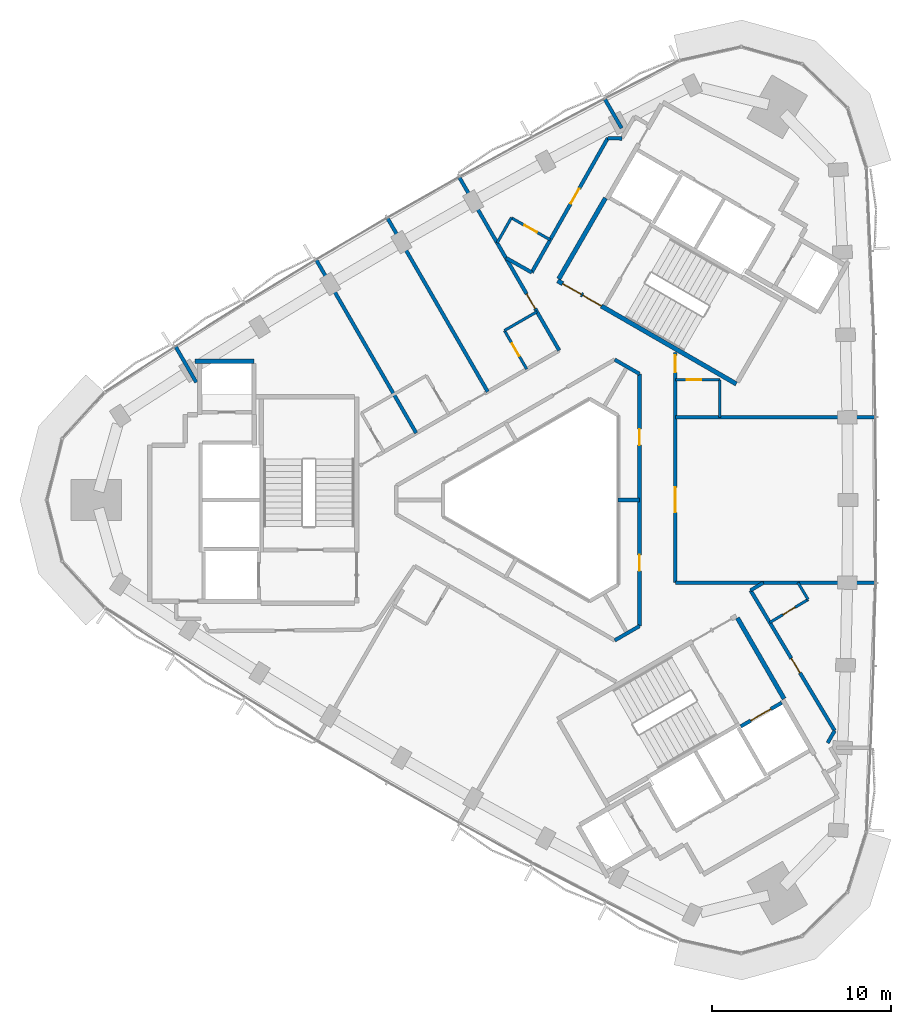
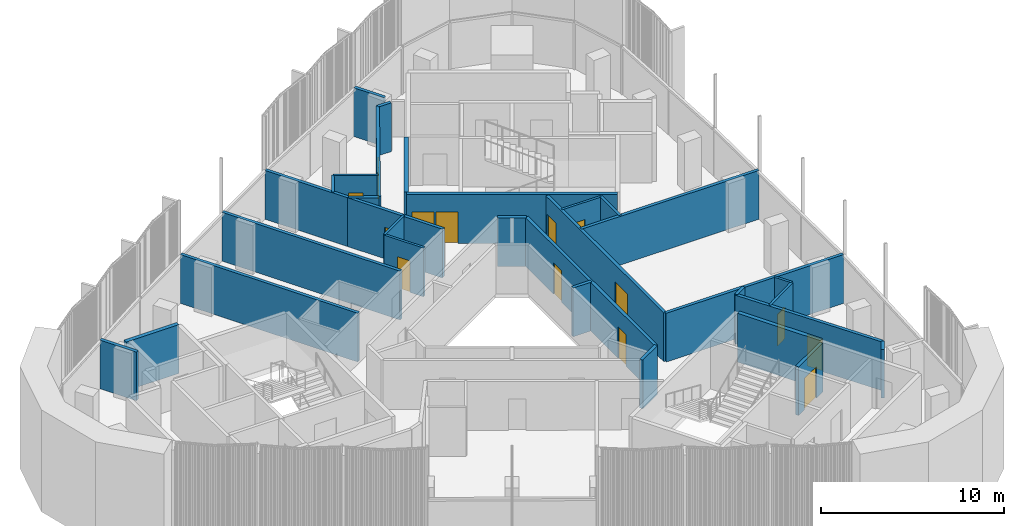
# One storey, part 10 of 14: 33 walls, 14 doors, 14 openings.
"""IFC4 building model written with IfcOpenShell, lengths in metres."""

from ifc_helpers import new_model, si_unit, direction, frame, frame_2d, origin, place, context, subcontext, project, spatial, rectangle, extrude, material, layer, layer_set, type_object, element, fill, save


model = new_model("IFC4")

# Units and contexts
model_context = context("Model", 3, precision=1e-05, world=origin(), true_north=direction((0.0, 1.0)))
body_context = subcontext(model_context, "Body", "Model", "MODEL_VIEW")
ifc_project = project(units=[si_unit("LENGTHUNIT", "METRE"), si_unit("AREAUNIT", "SQUARE_METRE"), si_unit("VOLUMEUNIT", "CUBIC_METRE"), si_unit("PLANEANGLEUNIT", "RADIAN"), si_unit("MASSUNIT", "GRAM", prefix="KILO")], contexts=[model_context])

# Site, building, storey
site_placement = place(None, origin())
site = spatial("IfcSite", under=ifc_project, at=site_placement, CompositionType="ELEMENT")
building_placement = place(site_placement, origin())
building = spatial("IfcBuilding", under=site, at=building_placement, Name="Tamra Quay Hotel Tower", CompositionType="ELEMENT")
storey_placement = place(building_placement, frame((0.0, 0.0, 250.199951171875)))
storey = spatial("IfcBuildingStorey", under=building, at=storey_placement, Name="L63", CompositionType="ELEMENT", Elevation=250.199951171875)

# Wall, opening, door
ifc_material_1 = material(Name="Concrete M70", Category="concrete")
ifc_layer_1 = layer(ifc_material_1, 0.199951171875)
ifc_layer_set_1 = layer_set([ifc_layer_1], Name="Concrete M70 core wall 200")
wall_type_1 = type_object("IfcWallType", Name="Concrete M70 core wall 200", PredefinedType="SHEAR", material=ifc_layer_set_1)
wall_1_placement = place(storey_placement, frame((10.666015625, -12.677734375, 0.0), z_axis=(0.0, 0.0, 1.0), x_axis=(0.866018407898, 0.500012117035, 0.0)))
wall_1 = element("IfcWall", 1, at=wall_1_placement, inside=storey, type_object=wall_type_1, Name="CW2", PredefinedType="SHEAR", context=body_context, shape_type="SweptSolid", body=[
    extrude(rectangle(XDim=2.65087890625, YDim=0.199951171875, at=frame_2d((1.325439453125, 0.0))), origin(), (0.0, 0.0, 1.0), 3.25),
])
opening_1_placement = place(wall_1_placement, frame((0.65185546875, 0.0, 0.0)))
opening_1 = element("IfcOpeningElement", 2, at=opening_1_placement, cuts=wall_1, Name="Opening LD", PredefinedType="OPENING", context=body_context, shape_type="SweptSolid", body=[
    extrude(rectangle(XDim=1.300048828125, YDim=2.10009765625, at=frame_2d((0.64990234375, 1.050048828125))), frame((0.0, 0.10986328125, 0.0), z_axis=(0.0, -1.0, 0.0), x_axis=(1.0, 0.0, 0.0)), (0.0, 0.0, 1.0), 0.219970703125),
])
ifc_material_2 = material(Name="Landing door LD 1300 sliding to left")
door_type_1 = type_object("IfcDoorType", Name="Landing door LD 1300 sliding to left", OperationType="NOTDEFINED", PredefinedType="DOOR", material=ifc_material_2)
door_1_placement = place(opening_1_placement, origin())
door_1 = element("IfcDoor", 3, at=door_1_placement, inside=storey, type_object=door_type_1, Name="LD", OperationType="SLIDING_TO_LEFT", OverallHeight=2.10009765625, OverallWidth=1.300048828125, PredefinedType="DOOR", context=body_context, shape_type="SweptSolid", body=[
    extrude(rectangle(XDim=1.300048828125, YDim=2.10009765625, at=frame_2d((0.64990234375, 1.050048828125))), frame((0.0, 0.02490234375, 0.0), z_axis=(0.0, -1.0, 0.0), x_axis=(1.0, 0.0, 0.0)), (0.0, 0.0, 1.0), 0.050048828125),
])
fill(opening_1, door_1)

# Wall
ifc_layer_2 = layer(ifc_material_1, 0.25)
ifc_layer_set_2 = layer_set([ifc_layer_2], Name="Concrete M70 core wall 250")
wall_type_2 = type_object("IfcWallType", Name="Concrete M70 core wall 250", PredefinedType="SHEAR", material=ifc_layer_set_2)
wall_2_placement = place(storey_placement, frame((-19.900390625, 7.77490234375, 0.0), z_axis=(0.0, 0.0, 1.0), x_axis=(1.0, 0.0, 0.0)))
element("IfcWall", 4, at=wall_2_placement, inside=storey, type_object=wall_type_2, Name="CW1", PredefinedType="SHEAR", context=body_context, shape_type="SweptSolid", body=[
    extrude(rectangle(XDim=3.31298828125, YDim=0.25, at=frame_2d((1.656494140625, 0.0))), origin(), (0.0, 0.0, 1.0), 3.25),
])

# Wall, openings, doors
wall_3_placement = place(storey_placement, frame((10.419921875, 6.497802734375, 0.0), z_axis=(0.0, 0.0, 1.0), x_axis=(-0.866021906294, 0.500006057782, 0.0)))
wall_3 = element("IfcWall", 5, at=wall_3_placement, inside=storey, type_object=wall_type_2, Name="CW1", PredefinedType="SHEAR", context=body_context, shape_type="SweptSolid", body=[
    extrude(rectangle(XDim=11.550048828125, YDim=0.25, at=frame_2d((5.77490234375, 0.0))), origin(), (0.0, 0.0, 1.0), 3.25),
])
opening_2_placement = place(wall_3_placement, frame((10.02490234375, 0.0, 0.0)))
opening_2 = element("IfcOpeningElement", 6, at=opening_2_placement, cuts=wall_3, Name="Opening FD1", PredefinedType="OPENING", context=body_context, shape_type="SweptSolid", body=[
    extrude(rectangle(XDim=1.199951171875, YDim=2.10009765625, at=frame_2d((0.60009765625, 1.050048828125))), frame((0.0, 0.135009765625, 0.0), z_axis=(0.0, -1.0, 0.0), x_axis=(1.0, 0.0, 0.0)), (0.0, 0.0, 1.0), 0.27001953125),
])
opening_3_placement = place(wall_3_placement, frame((8.724853515625, 0.0, 0.0)))
opening_3 = element("IfcOpeningElement", 7, at=opening_3_placement, cuts=wall_3, Name="Opening FD1", PredefinedType="OPENING", context=body_context, shape_type="SweptSolid", body=[
    extrude(rectangle(XDim=1.199951171875, YDim=2.10009765625, at=frame_2d((0.60009765625, 1.050048828125))), frame((0.0, 0.135009765625, 0.0), z_axis=(0.0, -1.0, 0.0), x_axis=(1.0, 0.0, 0.0)), (0.0, 0.0, 1.0), 0.27001953125),
])
ifc_material_3 = material(Name="Core door FD1 1200x2100 LH")
door_type_2 = type_object("IfcDoorType", Name="Core door FD1 1200x2100 LH", OperationType="NOTDEFINED", PredefinedType="DOOR", material=ifc_material_3)
door_2_placement = place(opening_2_placement, origin())
door_2 = element("IfcDoor", 8, at=door_2_placement, inside=storey, type_object=door_type_2, Name="FD1", OperationType="SINGLE_SWING_LEFT", OverallHeight=2.10009765625, OverallWidth=1.199951171875, PredefinedType="DOOR", context=body_context, shape_type="SweptSolid", body=[
    extrude(rectangle(XDim=1.199951171875, YDim=2.10009765625, at=frame_2d((0.60009765625, 1.050048828125))), frame((0.0, 0.02490234375, 0.0), z_axis=(0.0, -1.0, 0.0), x_axis=(1.0, 0.0, 0.0)), (0.0, 0.0, 1.0), 0.050048828125),
])
fill(opening_2, door_2)
ifc_material_4 = material(Name="Core door FD1 1200x2100 RH")
door_type_3 = type_object("IfcDoorType", Name="Core door FD1 1200x2100 RH", OperationType="NOTDEFINED", PredefinedType="DOOR", material=ifc_material_4)
door_3_placement = place(opening_3_placement, origin())
door_3 = element("IfcDoor", 9, at=door_3_placement, inside=storey, type_object=door_type_3, Name="FD1", OperationType="SINGLE_SWING_RIGHT", OverallHeight=2.10009765625, OverallWidth=1.199951171875, PredefinedType="DOOR", context=body_context, shape_type="SweptSolid", body=[
    extrude(rectangle(XDim=1.199951171875, YDim=2.10009765625, at=frame_2d((0.60009765625, 1.050048828125))), frame((0.0, 0.02490234375, 0.0), z_axis=(0.0, -1.0, 0.0), x_axis=(1.0, 0.0, 0.0)), (0.0, 0.0, 1.0), 0.050048828125),
])
fill(opening_3, door_3)

# Walls
for number, where, z_axis, x_axis, name in (
    (10, (0.47998046875, 12.38134765625, 0.0), (0.0, 0.0, 1.0), (0.49999885962, 0.866026062182, 0.0), "CW1"),
    (11, (10.482666015625, -6.6064453125, 0.0), (0.0, 0.0, 1.0), (0.49999885962, -0.866026062182, 0.0), "CW1"),
):
    element("IfcWall", number, at=place(storey_placement, frame(where, z_axis=z_axis, x_axis=x_axis)), inside=storey, type_object=wall_type_2, Name=name, PredefinedType="SHEAR", context=body_context, shape_type="SweptSolid", body=[
        extrude(rectangle(XDim=5.224609375, YDim=0.25, at=frame_2d((2.6123046875, 0.0))), origin(), (0.0, 0.0, 1.0), 3.25),
    ])

# Wall, opening, door
ifc_material_5 = material(Name="Partition corridor wall")
ifc_layer_3 = layer(ifc_material_5, 0.199951171875)
ifc_layer_set_3 = layer_set([ifc_layer_3], Name="Partition corridor wall")
wall_type_3 = type_object("IfcWallType", Name="Partition corridor wall", PredefinedType="PARTITIONING", material=ifc_layer_set_3)
wall_4_placement = place(storey_placement, frame((-2.48291015625, 13.551025390625, 0.0), z_axis=(0.0, 0.0, 1.0), x_axis=(0.499878046143, -0.866095802429, 0.0)))
wall_4 = element("IfcWall", 12, at=wall_4_placement, inside=storey, type_object=wall_type_3, Name="W-C", PredefinedType="PARTITIONING", context=body_context, shape_type="SweptSolid", body=[
    extrude(rectangle(XDim=5.9765625, YDim=0.199951171875, at=frame_2d((2.98828125, 0.0))), origin(), (0.0, 0.0, 1.0), 3.25),
])
opening_4_placement = place(wall_4_placement, frame((2.32666015625, 0.0, 0.0)))
opening_4 = element("IfcOpeningElement", 13, at=opening_4_placement, cuts=wall_4, Name="Opening L63-D003", PredefinedType="OPENING", context=body_context, shape_type="SweptSolid", body=[
    extrude(rectangle(XDim=0.949951171875, YDim=2.10009765625, at=frame_2d((0.47509765625, 1.050048828125))), frame((0.0, 0.10986328125, 0.0), z_axis=(0.0, -1.0, 0.0), x_axis=(1.0, 0.0, 0.0)), (0.0, 0.0, 1.0), 0.219970703125),
])
ifc_material_6 = material(Name="Door guest room 950x2100")
door_type_4 = type_object("IfcDoorType", Name="Door guest room 950x2100", OperationType="NOTDEFINED", PredefinedType="DOOR", material=ifc_material_6)
door_4_placement = place(opening_4_placement, frame((0.949951171875, 0.0, 0.0), z_axis=(0.0, 0.0, 1.0), x_axis=(-1.0, 0.0, 0.0)))
door_4 = element("IfcDoor", 14, at=door_4_placement, inside=storey, type_object=door_type_4, Name="L63-D003", OperationType="SINGLE_SWING_LEFT", OverallHeight=2.10009765625, OverallWidth=0.949951171875, PredefinedType="DOOR", context=body_context, shape_type="SweptSolid", body=[
    extrude(rectangle(XDim=0.949951171875, YDim=2.10009765625, at=frame_2d((0.47509765625, 1.050048828125))), frame((0.0, 0.02490234375, 0.0), z_axis=(0.0, -1.0, 0.0), x_axis=(1.0, 0.0, 0.0)), (0.0, 0.0, 1.0), 0.050048828125),
])
fill(opening_4, door_4)

# Wall
wall_5_placement = place(storey_placement, frame((-2.47802734375, 13.555908203125, 0.0), z_axis=(0.0, 0.0, 1.0), x_axis=(0.870609500021, -0.491974692919, 0.0)))
element("IfcWall", 15, at=wall_5_placement, inside=storey, type_object=wall_type_3, Name="W-C", PredefinedType="PARTITIONING", context=body_context, shape_type="SweptSolid", body=[
    extrude(rectangle(XDim=1.656494140625, YDim=0.199951171875, at=frame_2d((0.828125, 0.0))), origin(), (0.0, 0.0, 1.0), 3.25),
])

# Wall, opening, door
wall_6_placement = place(storey_placement, frame((-1.03662109375, 12.7412109375, 0.0), z_axis=(0.0, 0.0, 1.0), x_axis=(0.492679417867, 0.870210888929, 0.0)))
wall_6 = element("IfcWall", 16, at=wall_6_placement, inside=storey, type_object=wall_type_3, Name="W-C", PredefinedType="PARTITIONING", context=body_context, shape_type="SweptSolid", body=[
    extrude(rectangle(XDim=8.6357421875, YDim=0.199951171875, at=frame_2d((4.31787109375, 0.0))), origin(), (0.0, 0.0, 1.0), 3.25),
])
opening_5_placement = place(wall_6_placement, frame((4.4375, 0.0, 0.0)))
opening_5 = element("IfcOpeningElement", 17, at=opening_5_placement, cuts=wall_6, Name="Opening L63-D001", PredefinedType="OPENING", context=body_context, shape_type="SweptSolid", body=[
    extrude(rectangle(XDim=0.949951171875, YDim=2.10009765625, at=frame_2d((0.47509765625, 1.050048828125))), frame((0.0, 0.10986328125, 0.0), z_axis=(0.0, -1.0, 0.0), x_axis=(1.0, 0.0, 0.0)), (0.0, 0.0, 1.0), 0.219970703125),
])
door_5_placement = place(opening_5_placement, origin())
door_5 = element("IfcDoor", 18, at=door_5_placement, inside=storey, type_object=door_type_4, Name="L63-D001", OperationType="SINGLE_SWING_LEFT", OverallHeight=2.10009765625, OverallWidth=0.949951171875, PredefinedType="DOOR", context=body_context, shape_type="SweptSolid", body=[
    extrude(rectangle(XDim=0.949951171875, YDim=2.10009765625, at=frame_2d((0.47509765625, 1.050048828125))), frame((0.0, 0.02490234375, 0.0), z_axis=(0.0, -1.0, 0.0), x_axis=(1.0, 0.0, 0.0)), (0.0, 0.0, 1.0), 0.050048828125),
])
fill(opening_5, door_5)

# Walls
wall_7_placement = place(storey_placement, frame((3.218994140625, 20.256103515625, 0.0), z_axis=(0.0, 0.0, 1.0), x_axis=(0.999821939894, -0.018870307541, 0.0)))
element("IfcWall", 19, at=wall_7_placement, inside=storey, type_object=wall_type_3, Name="W-C", PredefinedType="PARTITIONING", context=body_context, shape_type="SweptSolid", body=[
    extrude(rectangle(XDim=0.80224609375, YDim=0.199951171875, at=frame_2d((0.401123046875, 0.0))), origin(), (0.0, 0.0, 1.0), 3.25),
])
for number, where, z_axis, x_axis, name in (
    (20, (3.6123046875, -7.859375, 0.0), (0.0, 0.0, 1.0), (0.866002901518, 0.500038973044, 0.0), "W-C"),
    (21, (3.6123046875, 7.859375, 0.0), (0.0, 0.0, 1.0), (0.866002901518, -0.500038973044, 0.0), "W-C"),
):
    element("IfcWall", number, at=place(storey_placement, frame(where, z_axis=z_axis, x_axis=x_axis)), inside=storey, type_object=wall_type_3, Name=name, PredefinedType="PARTITIONING", context=body_context, shape_type="SweptSolid", body=[
        extrude(rectangle(XDim=1.602294921875, YDim=0.199951171875, at=frame_2d((0.80126953125, 0.0))), origin(), (0.0, 0.0, 1.0), 3.25),
    ])

# Wall, openings, doors
wall_8_placement = place(storey_placement, frame((5.0, -7.05810546875, 0.0), z_axis=(0.0, 0.0, 1.0), x_axis=(0.0, 1.0, 0.0)))
wall_8 = element("IfcWall", 22, at=wall_8_placement, inside=storey, type_object=wall_type_3, Name="W-C", PredefinedType="PARTITIONING", context=body_context, shape_type="SweptSolid", body=[
    extrude(rectangle(XDim=14.1162109375, YDim=0.199951171875, at=frame_2d((7.05810546875, 0.0))), origin(), (0.0, 0.0, 1.0), 3.25),
])
opening_6_placement = place(wall_8_placement, frame((3.0849609375, 0.0, 0.0)))
opening_6 = element("IfcOpeningElement", 23, at=opening_6_placement, cuts=wall_8, Name="Opening L63-D018", PredefinedType="OPENING", context=body_context, shape_type="SweptSolid", body=[
    extrude(rectangle(XDim=0.89990234375, YDim=2.10009765625, at=frame_2d((0.449951171875, 1.050048828125))), frame((0.0, 0.10986328125, 0.0), z_axis=(0.0, -1.0, 0.0), x_axis=(1.0, 0.0, 0.0)), (0.0, 0.0, 1.0), 0.219970703125),
])
opening_7_placement = place(wall_8_placement, frame((10.131103515625, 0.0, 0.0)))
opening_7 = element("IfcOpeningElement", 24, at=opening_7_placement, cuts=wall_8, Name="Opening L63-D019", PredefinedType="OPENING", context=body_context, shape_type="SweptSolid", body=[
    extrude(rectangle(XDim=0.89990234375, YDim=2.10009765625, at=frame_2d((0.449951171875, 1.050048828125))), frame((0.0, 0.10986328125, 0.0), z_axis=(0.0, -1.0, 0.0), x_axis=(1.0, 0.0, 0.0)), (0.0, 0.0, 1.0), 0.219970703125),
])
ifc_material_7 = material(Name="Door service room 900x2100")
door_type_5 = type_object("IfcDoorType", Name="Door service room 900x2100", OperationType="NOTDEFINED", PredefinedType="DOOR", material=ifc_material_7)
door_6_placement = place(opening_6_placement, origin())
door_6 = element("IfcDoor", 25, at=door_6_placement, inside=storey, type_object=door_type_5, Name="L63-D018", OperationType="SINGLE_SWING_LEFT", OverallHeight=2.10009765625, OverallWidth=0.89990234375, PredefinedType="DOOR", context=body_context, shape_type="SweptSolid", body=[
    extrude(rectangle(XDim=0.89990234375, YDim=2.10009765625, at=frame_2d((0.449951171875, 1.050048828125))), frame((0.0, 0.02490234375, 0.0), z_axis=(0.0, -1.0, 0.0), x_axis=(1.0, 0.0, 0.0)), (0.0, 0.0, 1.0), 0.050048828125),
])
fill(opening_6, door_6)
door_7_placement = place(opening_7_placement, origin())
door_7 = element("IfcDoor", 26, at=door_7_placement, inside=storey, type_object=door_type_5, Name="L63-D019", OperationType="SINGLE_SWING_LEFT", OverallHeight=2.10009765625, OverallWidth=0.89990234375, PredefinedType="DOOR", context=body_context, shape_type="SweptSolid", body=[
    extrude(rectangle(XDim=0.89990234375, YDim=2.10009765625, at=frame_2d((0.449951171875, 1.050048828125))), frame((0.0, 0.02490234375, 0.0), z_axis=(0.0, -1.0, 0.0), x_axis=(1.0, 0.0, 0.0)), (0.0, 0.0, 1.0), 0.050048828125),
])
fill(opening_7, door_7)

wall_9_placement = place(storey_placement, frame((7.0, -4.625, 0.0), z_axis=(0.0, 0.0, 1.0), x_axis=(0.0, 1.0, 0.0)))
wall_9 = element("IfcWall", 27, at=wall_9_placement, inside=storey, type_object=wall_type_3, Name="W-C", PredefinedType="PARTITIONING", context=body_context, shape_type="SweptSolid", body=[
    extrude(rectangle(XDim=12.8837890625, YDim=0.199951171875, at=frame_2d((6.44189453125, 0.0))), origin(), (0.0, 0.0, 1.0), 3.25),
])
opening_8_placement = place(wall_9_placement, frame((3.930908203125, 0.0, 0.0)))
opening_8 = element("IfcOpeningElement", 28, at=opening_8_placement, cuts=wall_9, Name="Opening L63-D015", PredefinedType="OPENING", context=body_context, shape_type="SweptSolid", body=[
    extrude(rectangle(XDim=1.39990234375, YDim=2.10009765625, at=frame_2d((0.699951171875, 1.050048828125))), frame((0.0, 0.10986328125, 0.0), z_axis=(0.0, -1.0, 0.0), x_axis=(1.0, 0.0, 0.0)), (0.0, 0.0, 1.0), 0.219970703125),
])
opening_9_placement = place(wall_9_placement, frame((11.776611328125, 0.0, 0.0)))
opening_9 = element("IfcOpeningElement", 29, at=opening_9_placement, cuts=wall_9, Name="Opening L63-D016", PredefinedType="OPENING", context=body_context, shape_type="SweptSolid", body=[
    extrude(rectangle(XDim=0.949951171875, YDim=2.10009765625, at=frame_2d((0.47509765625, 1.050048828125))), frame((0.0, 0.10986328125, 0.0), z_axis=(0.0, -1.0, 0.0), x_axis=(1.0, 0.0, 0.0)), (0.0, 0.0, 1.0), 0.219970703125),
])
ifc_material_8 = material(Name="Door double leaf 1400x2100")
door_type_6 = type_object("IfcDoorType", Name="Door double leaf 1400x2100", OperationType="DOUBLE_DOOR_SINGLE_SWING", PredefinedType="DOOR", material=ifc_material_8)
door_8_placement = place(opening_8_placement, frame((1.39990234375, 0.0, 0.0), z_axis=(0.0, 0.0, 1.0), x_axis=(-1.0, 0.0, 0.0)))
door_8 = element("IfcDoor", 30, at=door_8_placement, inside=storey, type_object=door_type_6, Name="L63-D015", OperationType="DOUBLE_DOOR_SINGLE_SWING", OverallHeight=2.10009765625, OverallWidth=1.39990234375, PredefinedType="DOOR", context=body_context, shape_type="SweptSolid", body=[
    extrude(rectangle(XDim=1.39990234375, YDim=2.10009765625, at=frame_2d((0.699951171875, 1.050048828125))), frame((0.0, 0.02490234375, 0.0), z_axis=(0.0, -1.0, 0.0), x_axis=(1.0, 0.0, 0.0)), (0.0, 0.0, 1.0), 0.050048828125),
])
fill(opening_8, door_8)
door_9_placement = place(opening_9_placement, frame((0.949951171875, 0.0, 0.0), z_axis=(0.0, 0.0, 1.0), x_axis=(-1.0, 0.0, 0.0)))
door_9 = element("IfcDoor", 31, at=door_9_placement, inside=storey, type_object=door_type_4, Name="L63-D016", OperationType="SINGLE_SWING_LEFT", OverallHeight=2.10009765625, OverallWidth=0.949951171875, PredefinedType="DOOR", context=body_context, shape_type="SweptSolid", body=[
    extrude(rectangle(XDim=0.949951171875, YDim=2.10009765625, at=frame_2d((0.47509765625, 1.050048828125))), frame((0.0, 0.02490234375, 0.0), z_axis=(0.0, -1.0, 0.0), x_axis=(1.0, 0.0, 0.0)), (0.0, 0.0, 1.0), 0.050048828125),
])
fill(opening_9, door_9)

# Walls
wall_10_placement = place(storey_placement, frame((7.0, -4.625, 0.0), z_axis=(0.0, 0.0, 1.0), x_axis=(1.0, 0.0, 0.0)))
element("IfcWall", 32, at=wall_10_placement, inside=storey, type_object=wall_type_3, Name="W-C", PredefinedType="PARTITIONING", context=body_context, shape_type="SweptSolid", body=[
    extrude(rectangle(XDim=4.927978515625, YDim=0.199951171875, at=frame_2d((2.4638671875, 0.0))), origin(), (0.0, 0.0, 1.0), 3.25),
])
wall_11_placement = place(storey_placement, frame((11.216064453125, -5.06005859375, 0.0), z_axis=(0.0, 0.0, 1.0), x_axis=(0.857051740658, 0.515230350265, 0.0)))
element("IfcWall", 33, at=wall_11_placement, inside=storey, type_object=wall_type_3, Name="W-C", PredefinedType="PARTITIONING", context=body_context, shape_type="SweptSolid", body=[
    extrude(rectangle(XDim=0.83056640625, YDim=0.199951171875, at=frame_2d((0.415283203125, 0.0))), origin(), (0.0, 0.0, 1.0), 3.25),
])

# Wall, opening, door
wall_12_placement = place(storey_placement, frame((11.21630859375, -5.059814453125, 0.0), z_axis=(0.0, 0.0, 1.0), x_axis=(0.514001858113, -0.857789070726, 0.0)))
wall_12 = element("IfcWall", 34, at=wall_12_placement, inside=storey, type_object=wall_type_3, Name="W-C", PredefinedType="PARTITIONING", context=body_context, shape_type="SweptSolid", body=[
    extrude(rectangle(XDim=9.160888671875, YDim=0.199951171875, at=frame_2d((4.58056640625, 0.0))), origin(), (0.0, 0.0, 1.0), 3.25),
])
opening_10_placement = place(wall_12_placement, frame((4.43701171875, 0.0, 0.0)))
opening_10 = element("IfcOpeningElement", 35, at=opening_10_placement, cuts=wall_12, Name="Opening L63-D013", PredefinedType="OPENING", context=body_context, shape_type="SweptSolid", body=[
    extrude(rectangle(XDim=0.949951171875, YDim=2.10009765625, at=frame_2d((0.47509765625, 1.050048828125))), frame((0.0, 0.10986328125, 0.0), z_axis=(0.0, -1.0, 0.0), x_axis=(1.0, 0.0, 0.0)), (0.0, 0.0, 1.0), 0.219970703125),
])
door_10_placement = place(opening_10_placement, origin())
door_10 = element("IfcDoor", 36, at=door_10_placement, inside=storey, type_object=door_type_4, Name="L63-D013", OperationType="SINGLE_SWING_LEFT", OverallHeight=2.10009765625, OverallWidth=0.949951171875, PredefinedType="DOOR", context=body_context, shape_type="SweptSolid", body=[
    extrude(rectangle(XDim=0.949951171875, YDim=2.10009765625, at=frame_2d((0.47509765625, 1.050048828125))), frame((0.0, 0.02490234375, 0.0), z_axis=(0.0, -1.0, 0.0), x_axis=(1.0, 0.0, 0.0)), (0.0, 0.0, 1.0), 0.050048828125),
])
fill(opening_10, door_10)

# Walls
wall_13_placement = place(storey_placement, frame((15.531982421875, -13.60302734375, 0.0), z_axis=(0.0, 0.0, 1.0), x_axis=(0.498203662485, 0.867060038686, 0.0)))
element("IfcWall", 37, at=wall_13_placement, inside=storey, type_object=wall_type_3, Name="W-C", PredefinedType="PARTITIONING", context=body_context, shape_type="SweptSolid", body=[
    extrude(rectangle(XDim=0.7890625, YDim=0.199951171875, at=frame_2d((0.39453125, 0.0))), origin(), (0.0, 0.0, 1.0), 3.25),
])
ifc_material_9 = material(Name="Partition en-suite wall")
ifc_layer_4 = layer(ifc_material_9, 0.14990234375)
ifc_layer_set_4 = layer_set([ifc_layer_4], Name="Partition en-suite wall")
wall_type_4 = type_object("IfcWallType", Name="Partition en-suite wall", PredefinedType="PARTITIONING", material=ifc_layer_set_4)
wall_14_placement = place(storey_placement, frame((-2.971923828125, 14.39794921875, 0.0), z_axis=(0.0, 0.0, 1.0), x_axis=(0.492741112884, 0.870175956732, 0.0)))
element("IfcWall", 38, at=wall_14_placement, inside=storey, type_object=wall_type_4, Name="W-E", PredefinedType="PARTITIONING", context=body_context, shape_type="SweptSolid", body=[
    extrude(rectangle(XDim=1.611328125, YDim=0.14990234375, at=frame_2d((0.8056640625, 0.0))), origin(), (0.0, 0.0, 1.0), 3.25),
])

# Wall, opening, door
wall_15_placement = place(storey_placement, frame((-2.56396484375, 9.489990234375, 0.0), z_axis=(0.0, 0.0, 1.0), x_axis=(0.500004234368, -0.866022959057, 0.0)))
wall_15 = element("IfcWall", 39, at=wall_15_placement, inside=storey, type_object=wall_type_4, Name="W-E", PredefinedType="PARTITIONING", context=body_context, shape_type="SweptSolid", body=[
    extrude(rectangle(XDim=2.5, YDim=0.14990234375, at=frame_2d((1.25, 0.0))), origin(), (0.0, 0.0, 1.0), 3.25),
])
opening_11_placement = place(wall_15_placement, frame((0.850341796875, 0.0, 0.0)))
opening_11 = element("IfcOpeningElement", 40, at=opening_11_placement, cuts=wall_15, Name="Opening L63-D004", PredefinedType="OPENING", context=body_context, shape_type="SweptSolid", body=[
    extrude(rectangle(XDim=0.800048828125, YDim=2.10009765625, at=frame_2d((0.39990234375, 1.050048828125))), frame((0.0, 0.0849609375, 0.0), z_axis=(0.0, -1.0, 0.0), x_axis=(1.0, 0.0, 0.0)), (0.0, 0.0, 1.0), 0.169921875),
])
ifc_material_10 = material(Name="Door en-suite 800x2100")
door_type_7 = type_object("IfcDoorType", Name="Door en-suite 800x2100", OperationType="NOTDEFINED", PredefinedType="DOOR", material=ifc_material_10)
door_11_placement = place(opening_11_placement, frame((0.800048828125, 0.0, 0.0), z_axis=(0.0, 0.0, 1.0), x_axis=(-1.0, 0.0, 0.0)))
door_11 = element("IfcDoor", 41, at=door_11_placement, inside=storey, type_object=door_type_7, Name="L63-D004", OperationType="SINGLE_SWING_LEFT", OverallHeight=2.10009765625, OverallWidth=0.800048828125, PredefinedType="DOOR", context=body_context, shape_type="SweptSolid", body=[
    extrude(rectangle(XDim=0.800048828125, YDim=2.10009765625, at=frame_2d((0.39990234375, 1.050048828125))), frame((0.0, 0.02490234375, 0.0), z_axis=(0.0, -1.0, 0.0), x_axis=(1.0, 0.0, 0.0)), (0.0, 0.0, 1.0), 0.050048828125),
])
fill(opening_11, door_11)

# Wall
wall_16_placement = place(storey_placement, frame((-2.56396484375, 9.489990234375, 0.0), z_axis=(0.0, 0.0, 1.0), x_axis=(0.866038466041, 0.499977374825, 0.0)))
element("IfcWall", 42, at=wall_16_placement, inside=storey, type_object=wall_type_4, Name="W-E", PredefinedType="PARTITIONING", context=body_context, shape_type="SweptSolid", body=[
    extrude(rectangle(XDim=2.10009765625, YDim=0.14990234375, at=frame_2d((1.050048828125, 0.0))), origin(), (0.0, 0.0, 1.0), 3.25),
])

# Wall, opening, door
wall_17_placement = place(storey_placement, frame((-2.177978515625, 15.800048828125, 0.0), z_axis=(0.0, 0.0, 1.0), x_axis=(0.870218946292, -0.492665186019, 0.0)))
wall_17 = element("IfcWall", 43, at=wall_17_placement, inside=storey, type_object=wall_type_4, Name="W-E", PredefinedType="PARTITIONING", context=body_context, shape_type="SweptSolid", body=[
    extrude(rectangle(XDim=2.50048828125, YDim=0.14990234375, at=frame_2d((1.250244140625, 0.0))), origin(), (0.0, 0.0, 1.0), 3.25),
])
opening_12_placement = place(wall_17_placement, frame((0.85009765625, 0.0, 0.0)))
opening_12 = element("IfcOpeningElement", 44, at=opening_12_placement, cuts=wall_17, Name="Opening L63-D002", PredefinedType="OPENING", context=body_context, shape_type="SweptSolid", body=[
    extrude(rectangle(XDim=0.800048828125, YDim=2.10009765625, at=frame_2d((0.39990234375, 1.050048828125))), frame((0.0, 0.0849609375, 0.0), z_axis=(0.0, -1.0, 0.0), x_axis=(1.0, 0.0, 0.0)), (0.0, 0.0, 1.0), 0.169921875),
])
door_12_placement = place(opening_12_placement, origin())
door_12 = element("IfcDoor", 45, at=door_12_placement, inside=storey, type_object=door_type_7, Name="L63-D002", OperationType="SINGLE_SWING_LEFT", OverallHeight=2.10009765625, OverallWidth=0.800048828125, PredefinedType="DOOR", context=body_context, shape_type="SweptSolid", body=[
    extrude(rectangle(XDim=0.800048828125, YDim=2.10009765625, at=frame_2d((0.39990234375, 1.050048828125))), frame((0.0, 0.02490234375, 0.0), z_axis=(0.0, -1.0, 0.0), x_axis=(1.0, 0.0, 0.0)), (0.0, 0.0, 1.0), 0.050048828125),
])
fill(opening_12, door_12)

wall_18_placement = place(storey_placement, frame((7.0009765625, 6.72509765625, 0.0), z_axis=(0.0, 0.0, 1.0), x_axis=(1.0, 0.0, 0.0)))
wall_18 = element("IfcWall", 46, at=wall_18_placement, inside=storey, type_object=wall_type_4, Name="W-E", PredefinedType="PARTITIONING", context=body_context, shape_type="SweptSolid", body=[
    extrude(rectangle(XDim=2.4970703125, YDim=0.14990234375, at=frame_2d((1.24853515625, 0.0))), origin(), (0.0, 0.0, 1.0), 3.25),
])
opening_13_placement = place(wall_18_placement, frame((0.654052734375, 0.0, 0.0)))
opening_13 = element("IfcOpeningElement", 47, at=opening_13_placement, cuts=wall_18, Name="Opening L63-D017", PredefinedType="OPENING", context=body_context, shape_type="SweptSolid", body=[
    extrude(rectangle(XDim=0.800048828125, YDim=2.10009765625, at=frame_2d((0.39990234375, 1.050048828125))), frame((0.0, 0.0849609375, 0.0), z_axis=(0.0, -1.0, 0.0), x_axis=(1.0, 0.0, 0.0)), (0.0, 0.0, 1.0), 0.169921875),
])
door_13_placement = place(opening_13_placement, origin())
door_13 = element("IfcDoor", 48, at=door_13_placement, inside=storey, type_object=door_type_7, Name="L63-D017", OperationType="SINGLE_SWING_LEFT", OverallHeight=2.10009765625, OverallWidth=0.800048828125, PredefinedType="DOOR", context=body_context, shape_type="SweptSolid", body=[
    extrude(rectangle(XDim=0.800048828125, YDim=2.10009765625, at=frame_2d((0.39990234375, 1.050048828125))), frame((0.0, 0.02490234375, 0.0), z_axis=(0.0, -1.0, 0.0), x_axis=(1.0, 0.0, 0.0)), (0.0, 0.0, 1.0), 0.050048828125),
])
fill(opening_13, door_13)

# Wall
wall_19_placement = place(storey_placement, frame((9.5, 4.6259765625, 0.0), z_axis=(0.0, 0.0, 1.0), x_axis=(0.0, 1.0, 0.0)))
element("IfcWall", 49, at=wall_19_placement, inside=storey, type_object=wall_type_4, Name="W-E", PredefinedType="PARTITIONING", context=body_context, shape_type="SweptSolid", body=[
    extrude(rectangle(XDim=2.096923828125, YDim=0.14990234375, at=frame_2d((1.04833984375, 0.0))), origin(), (0.0, 0.0, 1.0), 3.25),
])

# Wall, opening, door
wall_20_placement = place(storey_placement, frame((12.294921875, -6.860107421875, 0.0), z_axis=(0.0, 0.0, 1.0), x_axis=(0.857820116165, 0.513950044559, 0.0)))
wall_20 = element("IfcWall", 50, at=wall_20_placement, inside=storey, type_object=wall_type_4, Name="W-E", PredefinedType="PARTITIONING", context=body_context, shape_type="SweptSolid", body=[
    extrude(rectangle(XDim=2.50048828125, YDim=0.14990234375, at=frame_2d((1.250244140625, 0.0))), origin(), (0.0, 0.0, 1.0), 3.25),
])
opening_14_placement = place(wall_20_placement, frame((0.85009765625, 0.0, 0.0)))
opening_14 = element("IfcOpeningElement", 51, at=opening_14_placement, cuts=wall_20, Name="Opening L63-D014", PredefinedType="OPENING", context=body_context, shape_type="SweptSolid", body=[
    extrude(rectangle(XDim=0.800048828125, YDim=2.10009765625, at=frame_2d((0.39990234375, 1.050048828125))), frame((0.0, 0.0849609375, 0.0), z_axis=(0.0, -1.0, 0.0), x_axis=(1.0, 0.0, 0.0)), (0.0, 0.0, 1.0), 0.169921875),
])
door_14_placement = place(opening_14_placement, frame((0.800048828125, 0.0, 0.0), z_axis=(0.0, 0.0, 1.0), x_axis=(-1.0, 0.0, 0.0)))
door_14 = element("IfcDoor", 52, at=door_14_placement, inside=storey, type_object=door_type_7, Name="L63-D014", OperationType="SINGLE_SWING_LEFT", OverallHeight=2.10009765625, OverallWidth=0.800048828125, PredefinedType="DOOR", context=body_context, shape_type="SweptSolid", body=[
    extrude(rectangle(XDim=0.800048828125, YDim=2.10009765625, at=frame_2d((0.39990234375, 1.050048828125))), frame((0.0, 0.02490234375, 0.0), z_axis=(0.0, -1.0, 0.0), x_axis=(1.0, 0.0, 0.0)), (0.0, 0.0, 1.0), 0.050048828125),
])
fill(opening_14, door_14)

# Walls
wall_21_placement = place(storey_placement, frame((13.8701171875, -4.625, 0.0), z_axis=(0.0, 0.0, 1.0), x_axis=(0.514398519676, -0.857551259666, 0.0)))
element("IfcWall", 53, at=wall_21_placement, inside=storey, type_object=wall_type_4, Name="W-E", PredefinedType="PARTITIONING", context=body_context, shape_type="SweptSolid", body=[
    extrude(rectangle(XDim=1.107666015625, YDim=0.14990234375, at=frame_2d((0.5537109375, 0.0))), origin(), (0.0, 0.0, 1.0), 3.25),
])
ifc_material_11 = material(Name="Partition party wall")
ifc_layer_5 = layer(ifc_material_11, 0.199951171875)
ifc_layer_set_5 = layer_set([ifc_layer_5], Name="Partition party wall")
wall_type_5 = type_object("IfcWallType", Name="Partition party wall", PredefinedType="PARTITIONING", material=ifc_layer_set_5)
wall_22_placement = place(storey_placement, frame((-20.9794921875, 8.594970703125, 0.0), z_axis=(0.0, 0.0, 1.0), x_axis=(0.499950711303, -0.866053858757, 0.0)))
element("IfcWall", 54, at=wall_22_placement, inside=storey, type_object=wall_type_5, Name="W-P", PredefinedType="PARTITIONING", context=body_context, shape_type="SweptSolid", body=[
    extrude(rectangle(XDim=2.314697265625, YDim=0.199951171875, at=frame_2d((1.1572265625, 0.0))), origin(), (0.0, 0.0, 1.0), 3.25),
])
wall_23_placement = place(storey_placement, frame((-13.107421875, 13.452880859375, 0.0), z_axis=(0.0, 0.0, 1.0), x_axis=(0.50003870279, -0.866003057565, 0.0)))
element("IfcWall", 55, at=wall_23_placement, inside=storey, type_object=wall_type_5, Name="W-P", PredefinedType="PARTITIONING", context=body_context, shape_type="SweptSolid", body=[
    extrude(rectangle(XDim=11.2041015625, YDim=0.199951171875, at=frame_2d((5.60205078125, 0.0))), origin(), (0.0, 0.0, 1.0), 3.25),
])
wall_24_placement = place(storey_placement, frame((-9.119384765625, 15.794677734375, 0.0), z_axis=(0.0, 0.0, 1.0), x_axis=(0.500015176972, -0.866016641178, 0.0)))
element("IfcWall", 56, at=wall_24_placement, inside=storey, type_object=wall_type_5, Name="W-P", PredefinedType="PARTITIONING", context=body_context, shape_type="SweptSolid", body=[
    extrude(rectangle(XDim=11.238525390625, YDim=0.199951171875, at=frame_2d((5.619140625, 0.0))), origin(), (0.0, 0.0, 1.0), 3.25),
])
wall_25_placement = place(storey_placement, frame((-5.0966796875, 18.078125, 0.0), z_axis=(0.0, 0.0, 1.0), x_axis=(0.499977898262, -0.866038163853, 0.0)))
element("IfcWall", 57, at=wall_25_placement, inside=storey, type_object=wall_type_5, Name="W-P", PredefinedType="PARTITIONING", context=body_context, shape_type="SweptSolid", body=[
    extrude(rectangle(XDim=5.212158203125, YDim=0.199951171875, at=frame_2d((2.60595703125, 0.0))), origin(), (0.0, 0.0, 1.0), 3.25),
])
wall_26_placement = place(storey_placement, frame((3.046142578125, 22.46630859375, 0.0), z_axis=(0.0, 0.0, 1.0), x_axis=(0.500078449558, -0.865980106173, 0.0)))
element("IfcWall", 58, at=wall_26_placement, inside=storey, type_object=wall_type_5, Name="W-P", PredefinedType="PARTITIONING", context=body_context, shape_type="SweptSolid", body=[
    extrude(rectangle(XDim=1.899658203125, YDim=0.199951171875, at=frame_2d((0.94970703125, 0.0))), origin(), (0.0, 0.0, 1.0), 3.25),
])
wall_27_placement = place(storey_placement, frame((3.800048828125, 0.0, 0.0), z_axis=(0.0, 0.0, 1.0), x_axis=(1.0, 0.0, 0.0)))
element("IfcWall", 59, at=wall_27_placement, inside=storey, type_object=wall_type_5, Name="W-P", PredefinedType="PARTITIONING", context=body_context, shape_type="SweptSolid", body=[
    extrude(rectangle(XDim=1.199951171875, YDim=0.199951171875, at=frame_2d((0.60009765625, 0.0))), origin(), (0.0, 0.0, 1.0), 3.25),
])
wall_28_placement = place(storey_placement, frame((7.0, 4.625, 0.0), z_axis=(0.0, 0.0, 1.0), x_axis=(1.0, 0.0, 0.0)))
element("IfcWall", 60, at=wall_28_placement, inside=storey, type_object=wall_type_5, Name="W-P", PredefinedType="PARTITIONING", context=body_context, shape_type="SweptSolid", body=[
    extrude(rectangle(XDim=11.204345703125, YDim=0.199951171875, at=frame_2d((5.60205078125, 0.0))), origin(), (0.0, 0.0, 1.0), 3.25),
])
wall_29_placement = place(storey_placement, frame((11.93994140625, -4.625, 0.0), z_axis=(0.0, 0.0, 1.0), x_axis=(1.0, 0.0, 0.0)))
element("IfcWall", 61, at=wall_29_placement, inside=storey, type_object=wall_type_5, Name="W-P", PredefinedType="PARTITIONING", context=body_context, shape_type="SweptSolid", body=[
    extrude(rectangle(XDim=6.264404296875, YDim=0.199951171875, at=frame_2d((3.13232421875, 0.0))), origin(), (0.0, 0.0, 1.0), 3.25),
])

save(model, "model.ifc")
